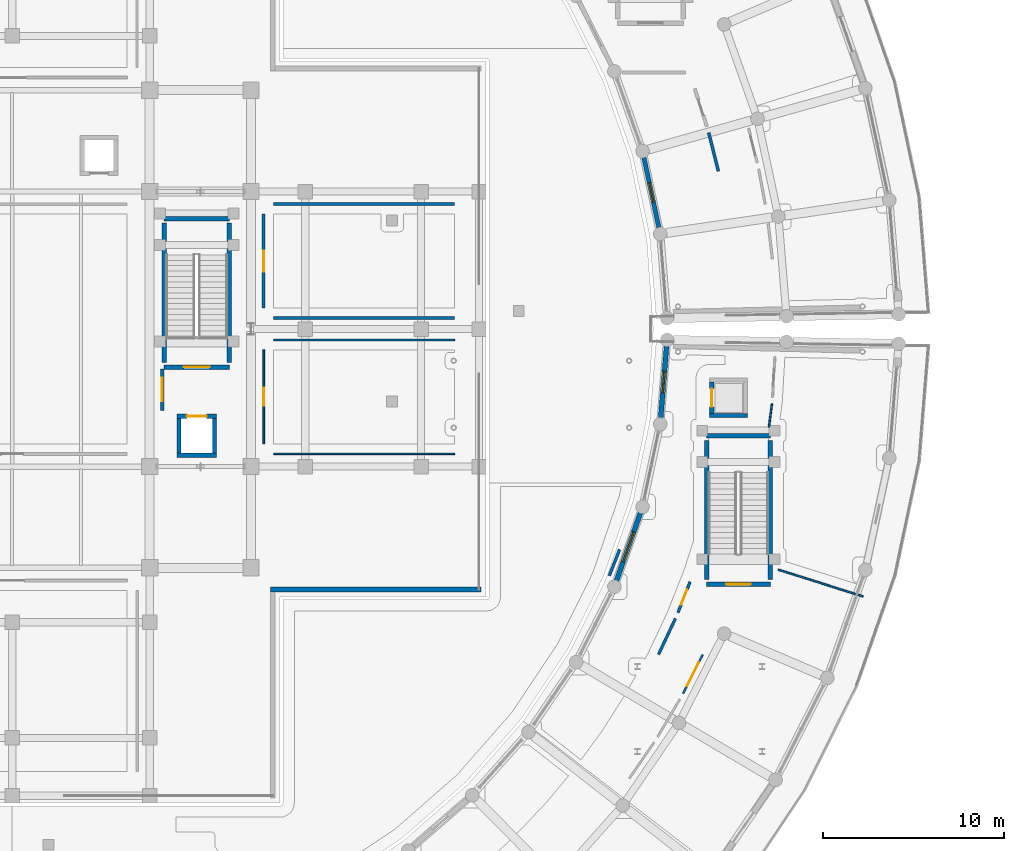
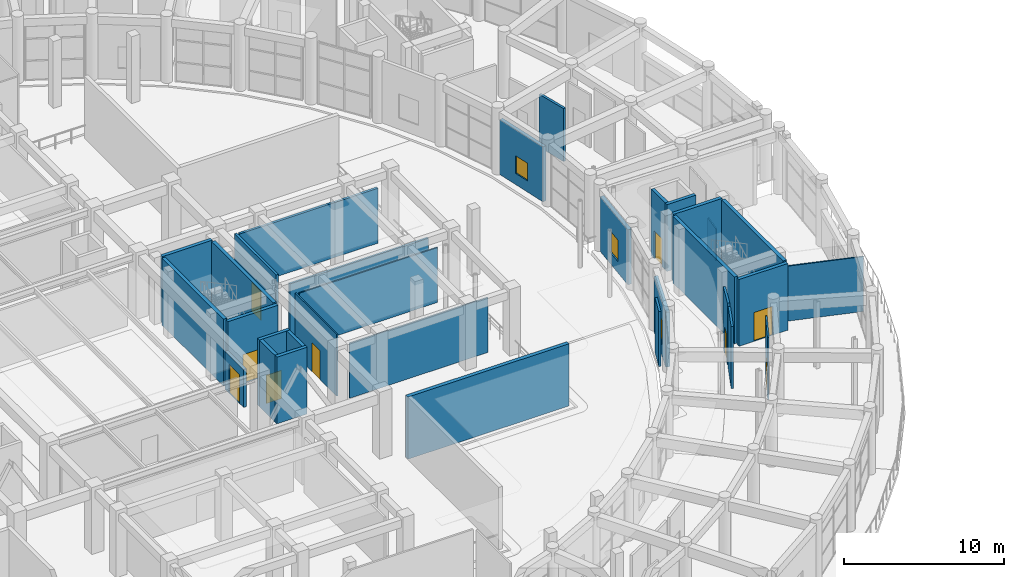
# One storey, part 72 of 99: 32 walls, 9 doors, 3 windows, 12 openings.
"""IFC4 building model written with IfcOpenShell, lengths in metres."""

from ifc_helpers import new_model, si_unit, direction, frame, frame_2d, origin, place, context, subcontext, project, spatial, rectangle, extrude, material, layer, layer_set, type_object, element, fill, save


model = new_model("IFC4")

# Units and contexts
model_context = context("Model", 3, precision=1e-05, world=origin(), true_north=direction((0.0, 1.0)))
body_context = subcontext(model_context, "Body", "Model", "MODEL_VIEW")
ifc_project = project(units=[si_unit("LENGTHUNIT", "METRE"), si_unit("AREAUNIT", "SQUARE_METRE"), si_unit("VOLUMEUNIT", "CUBIC_METRE"), si_unit("PLANEANGLEUNIT", "RADIAN"), si_unit("MASSUNIT", "GRAM", prefix="KILO")], contexts=[model_context])

# Site, building, storey
site_placement = place(None, origin())
site = spatial("IfcSite", under=ifc_project, at=site_placement, CompositionType="ELEMENT")
building_placement = place(site_placement, origin())
building = spatial("IfcBuilding", under=site, at=building_placement, Name="Saryqyr Civic Hall", CompositionType="ELEMENT")
storey_placement = place(building_placement, origin())
storey = spatial("IfcBuildingStorey", under=building, at=storey_placement, Name="L00", CompositionType="ELEMENT", Elevation=0.0)

# Wall, opening, window
ifc_material_1 = material(Name="Precast concrete C40/50", Category="concrete")
ifc_layer_1 = layer(ifc_material_1, 0.239990234375, Name="Precast concrete C40/50")
ifc_layer_set_1 = layer_set([ifc_layer_1], Name="Precast concrete C40/50")
wall_type_1 = type_object("IfcWallType", Name="ENV-WAL-EXT-240", PredefinedType="STANDARD", material=ifc_layer_set_1)
wall_1_placement = place(storey_placement, frame((92.74951171875, 89.570068359375, 0.0), z_axis=(0.0, 0.0, 1.0), x_axis=(-0.208844171908, 0.97794893111, 0.0)))
wall_1 = element("IfcWall", 1, at=wall_1_placement, inside=storey, type_object=wall_type_1, Name="Exterior wall V6-EWI-L00-01", PredefinedType="STANDARD", context=body_context, shape_type="SweptSolid", body=[
    extrude(rectangle(XDim=4.041259765625, YDim=0.239990234375, at=frame_2d((2.0205078125, 0.0))), origin(), (0.0, 0.0, 1.0), 4.195068359375),
])
opening_1_placement = place(wall_1_placement, frame((1.470947265625, 0.0, 0.85009765625)))
opening_1 = element("IfcOpeningElement", 2, at=opening_1_placement, cuts=wall_1, Name="Opening W-01", PredefinedType="OPENING", context=body_context, shape_type="SweptSolid", body=[
    extrude(rectangle(XDim=1.10009765625, YDim=1.35009765625, at=frame_2d((0.550048828125, 0.675048828125))), frame((0.0, 0.1298828125, 0.0), z_axis=(0.0, -1.0, 0.0), x_axis=(1.0, 0.0, 0.0)), (0.0, 0.0, 1.0), 0.260009765625),
])
ifc_material_2 = material(Name="Anodised aluminium and triple low-E glass", Category="aluminium")
window_type_1 = type_object("IfcWindowType", Name="ENV-WIN-W01", PartitioningType="SINGLE_PANEL", PredefinedType="WINDOW", material=ifc_material_2)
window_1_placement = place(opening_1_placement, origin())
window_1 = element("IfcWindow", 3, at=window_1_placement, inside=storey, type_object=window_type_1, Name="Courtyard window V6-L00-01", OverallHeight=1.35009765625, OverallWidth=1.10009765625, PartitioningType="SINGLE_PANEL", PredefinedType="WINDOW", context=body_context, shape_type="SweptSolid", body=[
    extrude(rectangle(XDim=1.10009765625, YDim=1.35009765625, at=frame_2d((0.550048828125, 0.675048828125))), frame((0.0, 0.030029296875, 0.0), z_axis=(0.0, -1.0, 0.0), x_axis=(1.0, 0.0, 0.0)), (0.0, 0.0, 1.0), 0.06005859375),
])
fill(opening_1, window_1)

ifc_layer_2 = layer(ifc_material_1, 0.27001953125, Name="Precast concrete C40/50")
ifc_layer_set_2 = layer_set([ifc_layer_2], Name="Precast concrete C40/50")
wall_type_2 = type_object("IfcWallType", Name="ENV-WAL-EXT-270", PredefinedType="STANDARD", material=ifc_layer_set_2)
wall_2_placement = place(storey_placement, frame((90.390869140625, 70.069580078125, 0.0), z_axis=(0.0, 0.0, 1.0), x_axis=(0.333220558146, 0.942848906044, 0.0)))
wall_2 = element("IfcWall", 4, at=wall_2_placement, inside=storey, type_object=wall_type_2, Name="Exterior wall V5-EWI-L00-07", PredefinedType="STANDARD", context=body_context, shape_type="SweptSolid", body=[
    extrude(rectangle(XDim=4.01806640625, YDim=0.27001953125, at=frame_2d((2.009033203125, 0.0))), origin(), (0.0, 0.0, 1.0), 4.195068359375),
])
opening_2_placement = place(wall_2_placement, frame((1.134033203125, 0.0, 0.85009765625)))
opening_2 = element("IfcOpeningElement", 5, at=opening_2_placement, cuts=wall_2, Name="Opening W-27", PredefinedType="OPENING", context=body_context, shape_type="SweptSolid", body=[
    extrude(rectangle(XDim=1.75, YDim=1.85009765625, at=frame_2d((0.875, 0.925048828125))), frame((0.0, 0.14501953125, 0.0), z_axis=(0.0, -1.0, 0.0), x_axis=(1.0, 0.0, 0.0)), (0.0, 0.0, 1.0), 0.2900390625),
])
window_type_2 = type_object("IfcWindowType", Name="ENV-WIN-W27", PartitioningType="SINGLE_PANEL", PredefinedType="WINDOW", material=ifc_material_2)
window_2_placement = place(opening_2_placement, origin())
window_2 = element("IfcWindow", 6, at=window_2_placement, inside=storey, type_object=window_type_2, Name="Courtyard window V5-L00-07", OverallHeight=1.85009765625, OverallWidth=1.75, PartitioningType="SINGLE_PANEL", PredefinedType="WINDOW", context=body_context, shape_type="SweptSolid", body=[
    extrude(rectangle(XDim=1.75, YDim=1.85009765625, at=frame_2d((0.875, 0.925048828125))), frame((0.0, 0.030029296875, 0.0), z_axis=(0.0, -1.0, 0.0), x_axis=(1.0, 0.0, 0.0)), (0.0, 0.0, 1.0), 0.06005859375),
])
fill(opening_2, window_2)

wall_3_placement = place(storey_placement, frame((92.841064453125, 79.0498046875, 0.0), z_axis=(0.0, 0.0, 1.0), x_axis=(0.081131225411, 0.99670342844, 0.0)))
wall_3 = element("IfcWall", 7, at=wall_3_placement, inside=storey, type_object=wall_type_2, Name="Exterior wall V5-EWI-L00-09", PredefinedType="STANDARD", context=body_context, shape_type="SweptSolid", body=[
    extrude(rectangle(XDim=4.053466796875, YDim=0.27001953125, at=frame_2d((2.02685546875, 0.0))), origin(), (0.0, 0.0, 1.0), 4.195068359375),
])
opening_3_placement = place(wall_3_placement, frame((1.427001953125, 0.0, 0.85009765625)))
opening_3 = element("IfcOpeningElement", 8, at=opening_3_placement, cuts=wall_3, Name="Opening W-17", PredefinedType="OPENING", context=body_context, shape_type="SweptSolid", body=[
    extrude(rectangle(XDim=1.199951171875, YDim=1.64990234375, at=frame_2d((0.60009765625, 0.824951171875))), frame((0.0, 0.14501953125, 0.0), z_axis=(0.0, -1.0, 0.0), x_axis=(1.0, 0.0, 0.0)), (0.0, 0.0, 1.0), 0.2900390625),
])
window_type_3 = type_object("IfcWindowType", Name="ENV-WIN-W17", PartitioningType="SINGLE_PANEL", PredefinedType="WINDOW", material=ifc_material_2)
window_3_placement = place(opening_3_placement, origin())
window_3 = element("IfcWindow", 9, at=window_3_placement, inside=storey, type_object=window_type_3, Name="Courtyard window V5-L00-09", OverallHeight=1.64990234375, OverallWidth=1.199951171875, PartitioningType="SINGLE_PANEL", PredefinedType="WINDOW", context=body_context, shape_type="SweptSolid", body=[
    extrude(rectangle(XDim=1.199951171875, YDim=1.64990234375, at=frame_2d((0.60009765625, 0.824951171875))), frame((0.0, 0.030029296875, 0.0), z_axis=(0.0, -1.0, 0.0), x_axis=(1.0, 0.0, 0.0)), (0.0, 0.0, 1.0), 0.06005859375),
])
fill(opening_3, window_3)

# Wall
wall_4_placement = place(storey_placement, frame((82.919921875, 69.60009765625, 0.0), z_axis=(0.0, 0.0, 1.0), x_axis=(-1.0, 0.0, 0.0)))
element("IfcWall", 10, at=wall_4_placement, inside=storey, type_object=wall_type_2, Name="Exterior wall V1-EW-L00-09", PredefinedType="STANDARD", context=body_context, shape_type="SweptSolid", body=[
    extrude(rectangle(XDim=11.639892578125, YDim=0.27001953125, at=frame_2d((5.81982421875, 0.0))), origin(), (0.0, 0.0, 1.0), 4.75),
])

# Wall, opening, door
ifc_material_3 = material(Name="Autoclaved aerated concrete blockwork", Category="masonry")
ifc_layer_3 = layer(ifc_material_3, 0.199951171875, Name="Autoclaved aerated concrete blockwork")
ifc_layer_set_3 = layer_set([ifc_layer_3], Name="Autoclaved aerated concrete blockwork")
wall_type_3 = type_object("IfcWallType", Name="INT-WAL-FIR-200", PredefinedType="PARTITIONING", material=ifc_layer_set_3)
wall_5_placement = place(storey_placement, frame((65.300048828125, 79.5, 0.0), z_axis=(0.0, 0.0, 1.0), x_axis=(0.0, 1.0, 0.0)))
wall_5 = element("IfcWall", 11, at=wall_5_placement, inside=storey, type_object=wall_type_3, Name="Firefighting lift lobby enclosure wall LF-02 L00", PredefinedType="PARTITIONING", context=body_context, shape_type="SweptSolid", body=[
    extrude(rectangle(XDim=2.300048828125, YDim=0.199951171875, at=frame_2d((1.14990234375, 0.0))), origin(), (0.0, 0.0, 1.0), 2.89990234375),
])
opening_4_placement = place(wall_5_placement, frame((0.5, 0.0, 0.0)))
opening_4 = element("IfcOpeningElement", 12, at=opening_4_placement, cuts=wall_5, Name="Opening FD-01", PredefinedType="OPENING", context=body_context, shape_type="SweptSolid", body=[
    extrude(rectangle(XDim=1.300048828125, YDim=2.199951171875, at=frame_2d((0.64990234375, 1.10009765625))), frame((0.0, 0.10986328125, 0.0), z_axis=(0.0, -1.0, 0.0), x_axis=(1.0, 0.0, 0.0)), (0.0, 0.0, 1.0), 0.219970703125),
])
ifc_material_4 = material(Name="Painted galvanized steel", Category="steel")
door_type_1 = type_object("IfcDoorType", Name="INT-DR-FFLOB-1300x2200", OperationType="NOTDEFINED", PredefinedType="DOOR", material=ifc_material_4)
door_1_placement = place(opening_4_placement, origin())
door_1 = element("IfcDoor", 13, at=door_1_placement, inside=storey, type_object=door_type_1, Name="Firefighting lift lobby smoke-control door LF-02 L00", OperationType="SINGLE_SWING_LEFT", OverallHeight=2.199951171875, OverallWidth=1.300048828125, PredefinedType="DOOR", context=body_context, shape_type="SweptSolid", body=[
    extrude(rectangle(XDim=1.300048828125, YDim=2.199951171875, at=frame_2d((0.64990234375, 1.10009765625))), frame((0.0, 0.02490234375, 0.0), z_axis=(0.0, -1.0, 0.0), x_axis=(1.0, 0.0, 0.0)), (0.0, 0.0, 1.0), 0.050048828125),
])
fill(opening_4, door_1)

# Walls
ifc_material_5 = material(Name="Lightweight demountable partition", Category="gypsum")
ifc_layer_4 = layer(ifc_material_5, 0.094970703125, Name="Lightweight demountable partition")
ifc_layer_set_4 = layer_set([ifc_layer_4], Name="Lightweight demountable partition")
wall_type_4 = type_object("IfcWallType", Name="INT-WAL-PRT-095", PredefinedType="PARTITIONING", material=ifc_layer_set_4)
wall_6_placement = place(storey_placement, frame((98.822265625, 78.5654296875, 0.0), z_axis=(0.0, 0.0, 1.0), x_axis=(0.128662543709, 0.991688433857, 0.0)))
element("IfcWall", 14, at=wall_6_placement, inside=storey, type_object=wall_type_4, Name="Interior partition PRT-SP-V5-L00-R03-W1", PredefinedType="PARTITIONING", context=body_context, shape_type="SweptSolid", body=[
    extrude(rectangle(XDim=1.311279296875, YDim=0.094970703125, at=frame_2d((0.65576171875, 0.0))), origin(), (0.0, 0.0, 1.0), 2.449951171875),
])
wall_7_placement = place(storey_placement, frame((104.03271484375, 69.22314453125, 0.0), z_axis=(0.0, 0.0, 1.0), x_axis=(-0.953949858631, 0.299966110114, 0.0)))
element("IfcWall", 15, at=wall_7_placement, inside=storey, type_object=wall_type_4, Name="Interior partition PRT-SP-V5-L00-R03-W3", PredefinedType="PARTITIONING", context=body_context, shape_type="SweptSolid", body=[
    extrude(rectangle(XDim=4.914306640625, YDim=0.094970703125, at=frame_2d((2.45703125, 0.0))), origin(), (0.0, 0.0, 1.0), 4.195068359375),
])

# Wall, opening, door
wall_8_placement = place(storey_placement, frame((70.89990234375, 77.64990234375, 0.0), z_axis=(0.0, 0.0, 1.0), x_axis=(0.0, 1.0, 0.0)))
wall_8 = element("IfcWall", 16, at=wall_8_placement, inside=storey, type_object=wall_type_4, Name="Interior partition PRT-SP-V1-L00-R05-W1", PredefinedType="PARTITIONING", context=body_context, shape_type="SweptSolid", body=[
    extrude(rectangle(XDim=5.2001953125, YDim=0.094970703125, at=frame_2d((2.60009765625, 0.0))), origin(), (0.0, 0.0, 1.0), 4.72998046875),
])
opening_5_placement = place(wall_8_placement, frame((2.10009765625, 0.0, 0.0)))
opening_5 = element("IfcOpeningElement", 17, at=opening_5_placement, cuts=wall_8, Name="Opening D-10", PredefinedType="OPENING", context=body_context, shape_type="SweptSolid", body=[
    extrude(rectangle(XDim=1.0, YDim=2.219970703125, at=frame_2d((0.5, 1.10986328125))), frame((0.0, 0.057373046875, 0.0), z_axis=(0.0, -1.0, 0.0), x_axis=(1.0, 0.0, 0.0)), (0.0, 0.0, 1.0), 0.114990234375),
])
ifc_material_6 = material(Name="Acoustic solid-core oak veneer", Category="wood")
door_type_2 = type_object("IfcDoorType", Name="INT-DR-D-10", OperationType="NOTDEFINED", PredefinedType="DOOR", material=ifc_material_6)
door_2_placement = place(opening_5_placement, origin())
door_2 = element("IfcDoor", 18, at=door_2_placement, inside=storey, type_object=door_type_2, Name="Interior door Ground Floor Accessible MGN & Public WC V1", OperationType="SINGLE_SWING_RIGHT", OverallHeight=2.219970703125, OverallWidth=1.0, PredefinedType="DOOR", context=body_context, shape_type="SweptSolid", body=[
    extrude(rectangle(XDim=1.0, YDim=2.219970703125, at=frame_2d((0.5, 1.10986328125))), frame((0.0, 0.02490234375, 0.0), z_axis=(0.0, -1.0, 0.0), x_axis=(1.0, 0.0, 0.0)), (0.0, 0.0, 1.0), 0.050048828125),
])
fill(opening_5, door_2)

# Walls
for number, where, z_axis, x_axis, name in (
    (19, (81.449951171875, 77.10009765625, 0.0), (0.0, 0.0, 1.0), (-1.0, 0.0, 0.0), "Interior partition PRT-SP-V1-L00-R05-W2"),
    (20, (71.449951171875, 83.39990234375, 0.0), (0.0, 0.0, 1.0), (1.0, 0.0, 0.0), "Interior partition PRT-SP-V1-L00-R05-W3"),
):
    element("IfcWall", number, at=place(storey_placement, frame(where, z_axis=z_axis, x_axis=x_axis)), inside=storey, type_object=wall_type_4, Name=name, PredefinedType="PARTITIONING", context=body_context, shape_type="SweptSolid", body=[
        extrude(rectangle(XDim=10.0, YDim=0.094970703125, at=frame_2d((5.0, 0.0))), origin(), (0.0, 0.0, 1.0), 4.195068359375),
    ])

# Wall, opening, door
ifc_material_7 = material(Name="Moisture-resistant gypsum partition", Category="gypsum")
ifc_layer_5 = layer(ifc_material_7, 0.110107421875, Name="Moisture-resistant gypsum partition")
ifc_layer_set_5 = layer_set([ifc_layer_5], Name="Moisture-resistant gypsum partition")
wall_type_5 = type_object("IfcWallType", Name="INT-WAL-PRT-110", PredefinedType="PARTITIONING", material=ifc_layer_set_5)
wall_9_placement = place(storey_placement, frame((94.073486328125, 63.852294921875, 0.0), z_axis=(0.0, 0.0, 1.0), x_axis=(0.452141818512, 0.891946061123, 0.0)))
wall_9 = element("IfcWall", 21, at=wall_9_placement, inside=storey, type_object=wall_type_5, Name="Interior partition PRT-SP-V5-L00-R02-W3", PredefinedType="PARTITIONING", context=body_context, shape_type="SweptSolid", body=[
    extrude(rectangle(XDim=2.4140625, YDim=0.110107421875, at=frame_2d((1.20703125, 0.0))), origin(), (0.0, 0.0, 1.0), 4.72998046875),
])
opening_6_placement = place(wall_9_placement, frame((0.48193359375, 0.0, 0.0)))
opening_6 = element("IfcOpeningElement", 22, at=opening_6_placement, cuts=wall_9, Name="Opening D-13", PredefinedType="OPENING", context=body_context, shape_type="SweptSolid", body=[
    extrude(rectangle(XDim=1.449951171875, YDim=2.219970703125, at=frame_2d((0.72509765625, 1.10986328125))), frame((0.0, 0.06494140625, 0.0), z_axis=(0.0, -1.0, 0.0), x_axis=(1.0, 0.0, 0.0)), (0.0, 0.0, 1.0), 0.130126953125),
])
door_type_3 = type_object("IfcDoorType", Name="INT-DR-D-13", OperationType="NOTDEFINED", PredefinedType="DOOR", material=ifc_material_6)
door_3_placement = place(opening_6_placement, origin())
door_3 = element("IfcDoor", 23, at=door_3_placement, inside=storey, type_object=door_type_3, Name="Interior door Municipal Cashier & Tax Advisory Counters", OperationType="SINGLE_SWING_LEFT", OverallHeight=2.219970703125, OverallWidth=1.449951171875, PredefinedType="DOOR", context=body_context, shape_type="SweptSolid", body=[
    extrude(rectangle(XDim=1.449951171875, YDim=2.219970703125, at=frame_2d((0.72509765625, 1.10986328125))), frame((0.0, 0.02490234375, 0.0), z_axis=(0.0, -1.0, 0.0), x_axis=(1.0, 0.0, 0.0)), (0.0, 0.0, 1.0), 0.050048828125),
])
fill(opening_6, door_3)

ifc_material_8 = material(Name="Acoustic double-stud gypsum board", Category="gypsum")
ifc_layer_6 = layer(ifc_material_8, 0.155029296875, Name="Acoustic double-stud gypsum board")
ifc_layer_set_6 = layer_set([ifc_layer_6], Name="Acoustic double-stud gypsum board")
wall_type_6 = type_object("IfcWallType", Name="INT-WAL-PRT-155", PredefinedType="PARTITIONING", material=ifc_layer_set_6)
wall_10_placement = place(storey_placement, frame((94.466064453125, 70.029052734375, 0.0), z_axis=(0.0, 0.0, 1.0), x_axis=(-0.366384258343, -0.93046363456, 0.0)))
wall_10 = element("IfcWall", 24, at=wall_10_placement, inside=storey, type_object=wall_type_6, Name="Interior partition PRT-SP-V5-L00-R05-W1", PredefinedType="PARTITIONING", context=body_context, shape_type="SweptSolid", body=[
    extrude(rectangle(XDim=1.826416015625, YDim=0.155029296875, at=frame_2d((0.9130859375, 0.0))), origin(), (0.0, 0.0, 1.0), 4.72998046875),
])
opening_7_placement = place(wall_10_placement, frame((0.462890625, 0.0, 0.0)))
opening_7 = element("IfcOpeningElement", 25, at=opening_7_placement, cuts=wall_10, Name="Opening D-01", PredefinedType="OPENING", context=body_context, shape_type="SweptSolid", body=[
    extrude(rectangle(XDim=0.89990234375, YDim=2.10009765625, at=frame_2d((0.449951171875, 1.050048828125))), frame((0.0, 0.08740234375, 0.0), z_axis=(0.0, -1.0, 0.0), x_axis=(1.0, 0.0, 0.0)), (0.0, 0.0, 1.0), 0.175048828125),
])
door_type_4 = type_object("IfcDoorType", Name="INT-DR-D-01", OperationType="NOTDEFINED", PredefinedType="DOOR", material=ifc_material_6)
door_4_placement = place(opening_7_placement, origin())
door_4 = element("IfcDoor", 26, at=door_4_placement, inside=storey, type_object=door_type_4, Name="Interior door Civic Exhibition East Gallery", OperationType="SINGLE_SWING_RIGHT", OverallHeight=2.10009765625, OverallWidth=0.89990234375, PredefinedType="DOOR", context=body_context, shape_type="SweptSolid", body=[
    extrude(rectangle(XDim=0.89990234375, YDim=2.10009765625, at=frame_2d((0.449951171875, 1.050048828125))), frame((0.0, 0.02490234375, 0.0), z_axis=(0.0, -1.0, 0.0), x_axis=(1.0, 0.0, 0.0)), (0.0, 0.0, 1.0), 0.050048828125),
])
fill(opening_7, door_4)

# Walls
wall_11_placement = place(storey_placement, frame((93.654296875, 67.999267578125, 0.0), z_axis=(0.0, 0.0, 1.0), x_axis=(-0.425026094766, -0.905181097222, 0.0)))
element("IfcWall", 27, at=wall_11_placement, inside=storey, type_object=wall_type_6, Name="Interior partition PRT-SP-V5-L00-R05-W2", PredefinedType="PARTITIONING", context=body_context, shape_type="SweptSolid", body=[
    extrude(rectangle(XDim=2.196533203125, YDim=0.155029296875, at=frame_2d((1.09814453125, 0.0))), origin(), (0.0, 0.0, 1.0), 4.72998046875),
])
wall_12_placement = place(storey_placement, frame((90.002197265625, 70.368408203125, 0.0), z_axis=(0.0, 0.0, 1.0), x_axis=(0.366425549854, 0.930447374339, 0.0)))
element("IfcWall", 28, at=wall_12_placement, inside=storey, type_object=wall_type_6, Name="Interior partition PRT-SP-V5-L00-R05-W3", PredefinedType="PARTITIONING", context=body_context, shape_type="SweptSolid", body=[
    extrude(rectangle(XDim=1.552978515625, YDim=0.155029296875, at=frame_2d((0.7763671875, 0.0))), origin(), (0.0, 0.0, 1.0), 4.195068359375),
])
ifc_layer_7 = layer(ifc_material_8, 0.169921875, Name="Acoustic double-stud gypsum board")
ifc_layer_set_7 = layer_set([ifc_layer_7], Name="Acoustic double-stud gypsum board")
wall_type_7 = type_object("IfcWallType", Name="INT-WAL-PRT-170", PredefinedType="PARTITIONING", material=ifc_layer_set_7)
wall_13_placement = place(storey_placement, frame((95.49462890625, 94.85107421875, 0.0), z_axis=(0.0, 0.0, 1.0), x_axis=(0.244627176871, -0.969617215367, 0.0)))
element("IfcWall", 29, at=wall_13_placement, inside=storey, type_object=wall_type_7, Name="Interior partition PRT-SP-V6-L00-R04-W3", PredefinedType="PARTITIONING", context=body_context, shape_type="SweptSolid", body=[
    extrude(rectangle(XDim=2.196533203125, YDim=0.169921875, at=frame_2d((1.09814453125, 0.0))), origin(), (0.0, 0.0, 1.0), 4.044921875),
])

# Wall, opening, door
wall_14_placement = place(storey_placement, frame((70.89990234375, 85.14990234375, 0.0), z_axis=(0.0, 0.0, 1.0), x_axis=(0.0, 1.0, 0.0)))
wall_14 = element("IfcWall", 30, at=wall_14_placement, inside=storey, type_object=wall_type_7, Name="Interior partition PRT-SP-V1-L00-R06-W1", PredefinedType="PARTITIONING", context=body_context, shape_type="SweptSolid", body=[
    extrude(rectangle(XDim=5.2001953125, YDim=0.169921875, at=frame_2d((2.60009765625, 0.0))), origin(), (0.0, 0.0, 1.0), 4.72998046875),
])
opening_8_placement = place(wall_14_placement, frame((2.02490234375, 0.0, 0.0)))
opening_8 = element("IfcOpeningElement", 31, at=opening_8_placement, cuts=wall_14, Name="Opening D-11", PredefinedType="OPENING", context=body_context, shape_type="SweptSolid", body=[
    extrude(rectangle(XDim=1.14990234375, YDim=2.219970703125, at=frame_2d((0.574951171875, 1.10986328125))), frame((0.0, 0.094970703125, 0.0), z_axis=(0.0, -1.0, 0.0), x_axis=(1.0, 0.0, 0.0)), (0.0, 0.0, 1.0), 0.18994140625),
])
door_type_5 = type_object("IfcDoorType", Name="INT-DR-D-11", OperationType="NOTDEFINED", PredefinedType="DOOR", material=ifc_material_6)
door_5_placement = place(opening_8_placement, origin())
door_5 = element("IfcDoor", 32, at=door_5_placement, inside=storey, type_object=door_type_5, Name="Interior door First-Aid & Parent-Child Welfare Room", OperationType="SINGLE_SWING_LEFT", OverallHeight=2.219970703125, OverallWidth=1.14990234375, PredefinedType="DOOR", context=body_context, shape_type="SweptSolid", body=[
    extrude(rectangle(XDim=1.14990234375, YDim=2.219970703125, at=frame_2d((0.574951171875, 1.10986328125))), frame((0.0, 0.02490234375, 0.0), z_axis=(0.0, -1.0, 0.0), x_axis=(1.0, 0.0, 0.0)), (0.0, 0.0, 1.0), 0.050048828125),
])
fill(opening_8, door_5)

# Walls
for number, where, z_axis, x_axis, name in (
    (33, (71.449951171875, 90.89990234375, 0.0), (0.0, 0.0, 1.0), (1.0, 0.0, 0.0), "Interior partition PRT-SP-V1-L00-R06-W2"),
    (34, (81.449951171875, 84.60009765625, 0.0), (0.0, 0.0, 1.0), (-1.0, 0.0, 0.0), "Interior partition PRT-SP-V1-L00-R06-W3"),
):
    element("IfcWall", number, at=place(storey_placement, frame(where, z_axis=z_axis, x_axis=x_axis)), inside=storey, type_object=wall_type_7, Name=name, PredefinedType="PARTITIONING", context=body_context, shape_type="SweptSolid", body=[
        extrude(rectangle(XDim=10.0, YDim=0.169921875, at=frame_2d((5.0, 0.0))), origin(), (0.0, 0.0, 1.0), 4.195068359375),
    ])
ifc_material_9 = material(Name="Concrete C40/50", Category="concrete")
ifc_layer_8 = layer(ifc_material_9, 0.239990234375, Name="Concrete C40/50")
ifc_layer_set_8 = layer_set([ifc_layer_8], Name="Concrete C40/50")
wall_type_8 = type_object("IfcWallType", Name="INT-WAL-SHR-240", PredefinedType="SHEAR", material=ifc_layer_set_8)
wall_15_placement = place(storey_placement, frame((68.300048828125, 77.02001953125, 0.0), z_axis=(0.0, 0.0, 1.0), x_axis=(-1.0, 0.0, 0.0)))
element("IfcWall", 35, at=wall_15_placement, inside=storey, type_object=wall_type_8, Name="Lift shaft shear wall LF-02-SHW-S-L00", PredefinedType="SHEAR", context=body_context, shape_type="SweptSolid", body=[
    extrude(rectangle(XDim=2.199951171875, YDim=0.239990234375, at=frame_2d((1.10009765625, 0.0))), origin(), (0.0, 0.0, 1.0), 5.10009765625),
])
wall_16_placement = place(storey_placement, frame((68.179931640625, 79.06005859375, 0.0), z_axis=(0.0, 0.0, 1.0), x_axis=(0.0, -1.0, 0.0)))
element("IfcWall", 36, at=wall_16_placement, inside=storey, type_object=wall_type_8, Name="Lift shaft shear wall LF-02-SHW-E-L00", PredefinedType="SHEAR", context=body_context, shape_type="SweptSolid", body=[
    extrude(rectangle(XDim=1.920166015625, YDim=0.239990234375, at=frame_2d((0.9599609375, 0.0))), origin(), (0.0, 0.0, 1.0), 5.10009765625),
])

# Wall, opening, door
wall_17_placement = place(storey_placement, frame((66.10009765625, 79.179931640625, 0.0), z_axis=(0.0, 0.0, 1.0), x_axis=(1.0, 0.0, 0.0)))
wall_17 = element("IfcWall", 37, at=wall_17_placement, inside=storey, type_object=wall_type_8, Name="Lift shaft shear wall LF-02-SHW-N-L00", PredefinedType="SHEAR", context=body_context, shape_type="SweptSolid", body=[
    extrude(rectangle(XDim=2.199951171875, YDim=0.239990234375, at=frame_2d((1.10009765625, 0.0))), origin(), (0.0, 0.0, 1.0), 5.10009765625),
])
opening_9_placement = place(wall_17_placement, frame((0.550048828125, 0.0, 0.0)))
opening_9 = element("IfcOpeningElement", 38, at=opening_9_placement, cuts=wall_17, Name="Opening LD-01", PredefinedType="OPENING", context=body_context, shape_type="SweptSolid", body=[
    extrude(rectangle(XDim=1.10009765625, YDim=2.14990234375, at=frame_2d((0.550048828125, 1.074951171875))), frame((0.0, 0.1298828125, 0.0), z_axis=(0.0, -1.0, 0.0), x_axis=(1.0, 0.0, 0.0)), (0.0, 0.0, 1.0), 0.260009765625),
])
ifc_material_10 = material(Name="Brushed stainless steel", Category="steel")
door_type_6 = type_object("IfcDoorType", Name="INT-DR-LD-1100x2150", OperationType="NOTDEFINED", PredefinedType="DOOR", material=ifc_material_10)
door_6_placement = place(opening_9_placement, origin())
door_6 = element("IfcDoor", 39, at=door_6_placement, inside=storey, type_object=door_type_6, Name="Lift sliding landing door LF-02 L00", OperationType="SLIDING_TO_RIGHT", OverallHeight=2.14990234375, OverallWidth=1.10009765625, PredefinedType="DOOR", context=body_context, shape_type="SweptSolid", body=[
    extrude(rectangle(XDim=1.10009765625, YDim=2.14990234375, at=frame_2d((0.550048828125, 1.074951171875))), frame((0.0, 0.02490234375, 0.0), z_axis=(0.0, -1.0, 0.0), x_axis=(1.0, 0.0, 0.0)), (0.0, 0.0, 1.0), 0.050048828125),
])
fill(opening_9, door_6)

# Walls
wall_18_placement = place(storey_placement, frame((66.219970703125, 77.139892578125, 0.0), z_axis=(0.0, 0.0, 1.0), x_axis=(0.0, 1.0, 0.0)))
element("IfcWall", 40, at=wall_18_placement, inside=storey, type_object=wall_type_8, Name="Lift shaft shear wall LF-02-SHW-W-L00", PredefinedType="SHEAR", context=body_context, shape_type="SweptSolid", body=[
    extrude(rectangle(XDim=1.920166015625, YDim=0.239990234375, at=frame_2d((0.9599609375, 0.0))), origin(), (0.0, 0.0, 1.0), 5.10009765625),
])
wall_19_placement = place(storey_placement, frame((97.64990234375, 79.219970703125, 0.0), z_axis=(0.0, 0.0, 1.0), x_axis=(-1.0, 0.0, 0.0)))
element("IfcWall", 41, at=wall_19_placement, inside=storey, type_object=wall_type_8, Name="Lift shaft shear wall LF-07-SHW-S-L00", PredefinedType="SHEAR", context=body_context, shape_type="SweptSolid", body=[
    extrude(rectangle(XDim=2.099853515625, YDim=0.239990234375, at=frame_2d((1.0498046875, 0.0))), origin(), (0.0, 0.0, 1.0), 5.10009765625),
])

# Wall, opening, door
wall_20_placement = place(storey_placement, frame((95.669921875, 79.340087890625, 0.0), z_axis=(0.0, 0.0, 1.0), x_axis=(0.0, 1.0, 0.0)))
wall_20 = element("IfcWall", 42, at=wall_20_placement, inside=storey, type_object=wall_type_8, Name="Lift shaft shear wall LF-07-SHW-W-L00", PredefinedType="SHEAR", context=body_context, shape_type="SweptSolid", body=[
    extrude(rectangle(XDim=1.719970703125, YDim=0.239990234375, at=frame_2d((0.85986328125, 0.0))), origin(), (0.0, 0.0, 1.0), 5.10009765625),
])
opening_10_placement = place(wall_20_placement, frame((0.360107421875, 0.0, 0.0)))
opening_10 = element("IfcOpeningElement", 43, at=opening_10_placement, cuts=wall_20, Name="Opening LD-02", PredefinedType="OPENING", context=body_context, shape_type="SweptSolid", body=[
    extrude(rectangle(XDim=1.0, YDim=2.14990234375, at=frame_2d((0.5, 1.074951171875))), frame((0.0, 0.1298828125, 0.0), z_axis=(0.0, -1.0, 0.0), x_axis=(1.0, 0.0, 0.0)), (0.0, 0.0, 1.0), 0.260009765625),
])
door_type_7 = type_object("IfcDoorType", Name="INT-DR-LD-1000x2150", OperationType="NOTDEFINED", PredefinedType="DOOR", material=ifc_material_10)
door_7_placement = place(opening_10_placement, origin())
door_7 = element("IfcDoor", 44, at=door_7_placement, inside=storey, type_object=door_type_7, Name="Lift sliding landing door LF-07 L00", OperationType="SLIDING_TO_LEFT", OverallHeight=2.14990234375, OverallWidth=1.0, PredefinedType="DOOR", context=body_context, shape_type="SweptSolid", body=[
    extrude(rectangle(XDim=1.0, YDim=2.14990234375, at=frame_2d((0.5, 1.074951171875))), frame((0.0, 0.02490234375, 0.0), z_axis=(0.0, -1.0, 0.0), x_axis=(1.0, 0.0, 0.0)), (0.0, 0.0, 1.0), 0.050048828125),
])
fill(opening_10, door_7)

ifc_layer_9 = layer(ifc_material_9, 0.25, Name="Concrete C40/50")
ifc_layer_set_9 = layer_set([ifc_layer_9], Name="Concrete C40/50")
wall_type_9 = type_object("IfcWallType", Name="INT-WAL-SHR-250", PredefinedType="SHEAR", material=ifc_layer_set_9)
wall_21_placement = place(storey_placement, frame((69.0, 81.89990234375, 0.0), z_axis=(0.0, 0.0, 1.0), x_axis=(-1.0, 0.0, 0.0)))
wall_21 = element("IfcWall", 45, at=wall_21_placement, inside=storey, type_object=wall_type_9, Name="Protected stair shaft wall ST-2-SW1-L00", PredefinedType="SHEAR", context=body_context, shape_type="SweptSolid", body=[
    extrude(rectangle(XDim=3.60009765625, YDim=0.25, at=frame_2d((1.800048828125, 0.0))), origin(), (0.0, 0.0, 1.0), 5.10009765625),
])
opening_11_placement = place(wall_21_placement, frame((1.074951171875, 0.0, 0.0)))
opening_11 = element("IfcOpeningElement", 46, at=opening_11_placement, cuts=wall_21, Name="Opening SD-02", PredefinedType="OPENING", context=body_context, shape_type="SweptSolid", body=[
    extrude(rectangle(XDim=1.449951171875, YDim=2.199951171875, at=frame_2d((0.72509765625, 1.10009765625))), frame((0.0, 0.135009765625, 0.0), z_axis=(0.0, -1.0, 0.0), x_axis=(1.0, 0.0, 0.0)), (0.0, 0.0, 1.0), 0.27001953125),
])
door_type_8 = type_object("IfcDoorType", Name="INT-DR-STAIR-1450x2200", OperationType="NOTDEFINED", PredefinedType="DOOR", material=ifc_material_4)
door_8_placement = place(opening_11_placement, origin())
door_8 = element("IfcDoor", 47, at=door_8_placement, inside=storey, type_object=door_type_8, Name="Exit stair landing fire door ST-2-L00", OperationType="SINGLE_SWING_LEFT", OverallHeight=2.199951171875, OverallWidth=1.449951171875, PredefinedType="DOOR", context=body_context, shape_type="SweptSolid", body=[
    extrude(rectangle(XDim=1.449951171875, YDim=2.199951171875, at=frame_2d((0.72509765625, 1.10009765625))), frame((0.0, 0.02490234375, 0.0), z_axis=(0.0, -1.0, 0.0), x_axis=(1.0, 0.0, 0.0)), (0.0, 0.0, 1.0), 0.050048828125),
])
fill(opening_11, door_8)

# Walls
wall_22_placement = place(storey_placement, frame((65.39990234375, 82.14990234375, 0.0), z_axis=(0.0, 0.0, 1.0), x_axis=(0.0, 1.0, 0.0)))
element("IfcWall", 48, at=wall_22_placement, inside=storey, type_object=wall_type_9, Name="Protected stair shaft wall ST-2-SW2-L00", PredefinedType="SHEAR", context=body_context, shape_type="SweptSolid", body=[
    extrude(rectangle(XDim=7.7001953125, YDim=0.25, at=frame_2d((3.85009765625, 0.0))), origin(), (0.0, 0.0, 1.0), 5.10009765625),
])
wall_23_placement = place(storey_placement, frame((65.39990234375, 90.10009765625, 0.0), z_axis=(0.0, 0.0, 1.0), x_axis=(1.0, 0.0, 0.0)))
element("IfcWall", 49, at=wall_23_placement, inside=storey, type_object=wall_type_9, Name="Protected stair shaft wall ST-2-SW3-L00", PredefinedType="SHEAR", context=body_context, shape_type="SweptSolid", body=[
    extrude(rectangle(XDim=3.60009765625, YDim=0.25, at=frame_2d((1.800048828125, 0.0))), origin(), (0.0, 0.0, 1.0), 5.10009765625),
])
wall_24_placement = place(storey_placement, frame((69.0, 89.85009765625, 0.0), z_axis=(0.0, 0.0, 1.0), x_axis=(0.0, -1.0, 0.0)))
element("IfcWall", 50, at=wall_24_placement, inside=storey, type_object=wall_type_9, Name="Protected stair shaft wall ST-2-SW4-L00", PredefinedType="SHEAR", context=body_context, shape_type="SweptSolid", body=[
    extrude(rectangle(XDim=7.7001953125, YDim=0.25, at=frame_2d((3.85009765625, 0.0))), origin(), (0.0, 0.0, 1.0), 5.10009765625),
])

# Wall, opening, door
wall_25_placement = place(storey_placement, frame((98.89990234375, 69.89990234375, 0.0), z_axis=(0.0, 0.0, 1.0), x_axis=(-1.0, 0.0, 0.0)))
wall_25 = element("IfcWall", 51, at=wall_25_placement, inside=storey, type_object=wall_type_9, Name="Protected stair shaft wall ST-5-SW1-L00", PredefinedType="SHEAR", context=body_context, shape_type="SweptSolid", body=[
    extrude(rectangle(XDim=3.52001953125, YDim=0.25, at=frame_2d((1.760009765625, 0.0))), origin(), (0.0, 0.0, 1.0), 5.10009765625),
])
opening_12_placement = place(wall_25_placement, frame((1.0849609375, 0.0, 0.0)))
opening_12 = element("IfcOpeningElement", 52, at=opening_12_placement, cuts=wall_25, Name="Opening SD-01", PredefinedType="OPENING", context=body_context, shape_type="SweptSolid", body=[
    extrude(rectangle(XDim=1.35009765625, YDim=2.199951171875, at=frame_2d((0.675048828125, 1.10009765625))), frame((0.0, 0.135009765625, 0.0), z_axis=(0.0, -1.0, 0.0), x_axis=(1.0, 0.0, 0.0)), (0.0, 0.0, 1.0), 0.27001953125),
])
door_type_9 = type_object("IfcDoorType", Name="INT-DR-STAIR-1350x2200", OperationType="NOTDEFINED", PredefinedType="DOOR", material=ifc_material_4)
door_9_placement = place(opening_12_placement, origin())
door_9 = element("IfcDoor", 53, at=door_9_placement, inside=storey, type_object=door_type_9, Name="Exit stair landing fire door ST-5-L00", OperationType="SINGLE_SWING_RIGHT", OverallHeight=2.199951171875, OverallWidth=1.35009765625, PredefinedType="DOOR", context=body_context, shape_type="SweptSolid", body=[
    extrude(rectangle(XDim=1.35009765625, YDim=2.199951171875, at=frame_2d((0.675048828125, 1.10009765625))), frame((0.0, 0.02490234375, 0.0), z_axis=(0.0, -1.0, 0.0), x_axis=(1.0, 0.0, 0.0)), (0.0, 0.0, 1.0), 0.050048828125),
])
fill(opening_12, door_9)

# Walls
wall_26_placement = place(storey_placement, frame((95.3798828125, 70.14990234375, 0.0), z_axis=(0.0, 0.0, 1.0), x_axis=(0.0, 1.0, 0.0)))
element("IfcWall", 54, at=wall_26_placement, inside=storey, type_object=wall_type_9, Name="Protected stair shaft wall ST-5-SW2-L00", PredefinedType="SHEAR", context=body_context, shape_type="SweptSolid", body=[
    extrude(rectangle(XDim=7.7001953125, YDim=0.25, at=frame_2d((3.85009765625, 0.0))), origin(), (0.0, 0.0, 1.0), 5.10009765625),
])
wall_27_placement = place(storey_placement, frame((95.3798828125, 78.10009765625, 0.0), z_axis=(0.0, 0.0, 1.0), x_axis=(1.0, 0.0, 0.0)))
element("IfcWall", 55, at=wall_27_placement, inside=storey, type_object=wall_type_9, Name="Protected stair shaft wall ST-5-SW3-L00", PredefinedType="SHEAR", context=body_context, shape_type="SweptSolid", body=[
    extrude(rectangle(XDim=3.52001953125, YDim=0.25, at=frame_2d((1.760009765625, 0.0))), origin(), (0.0, 0.0, 1.0), 5.10009765625),
])
wall_28_placement = place(storey_placement, frame((98.89990234375, 77.85009765625, 0.0), z_axis=(0.0, 0.0, 1.0), x_axis=(0.0, -1.0, 0.0)))
element("IfcWall", 56, at=wall_28_placement, inside=storey, type_object=wall_type_9, Name="Protected stair shaft wall ST-5-SW4-L00", PredefinedType="SHEAR", context=body_context, shape_type="SweptSolid", body=[
    extrude(rectangle(XDim=7.7001953125, YDim=0.25, at=frame_2d((3.85009765625, 0.0))), origin(), (0.0, 0.0, 1.0), 5.10009765625),
])

save(model, "model.ifc")
